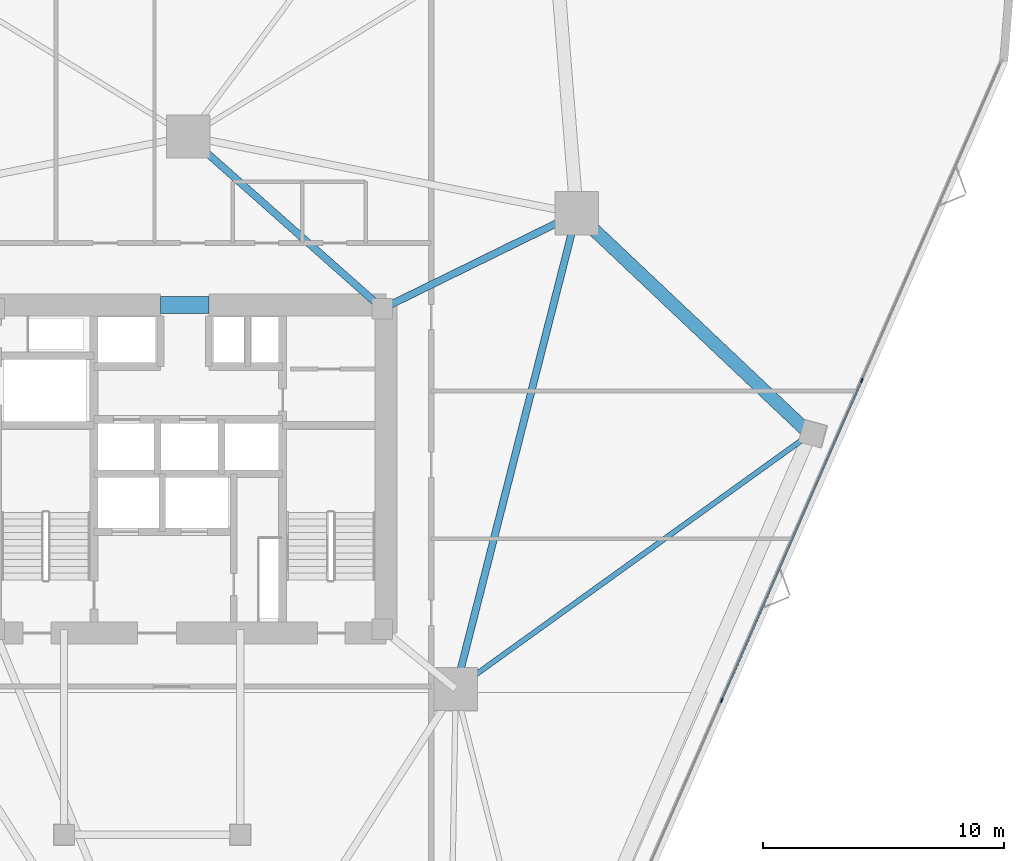
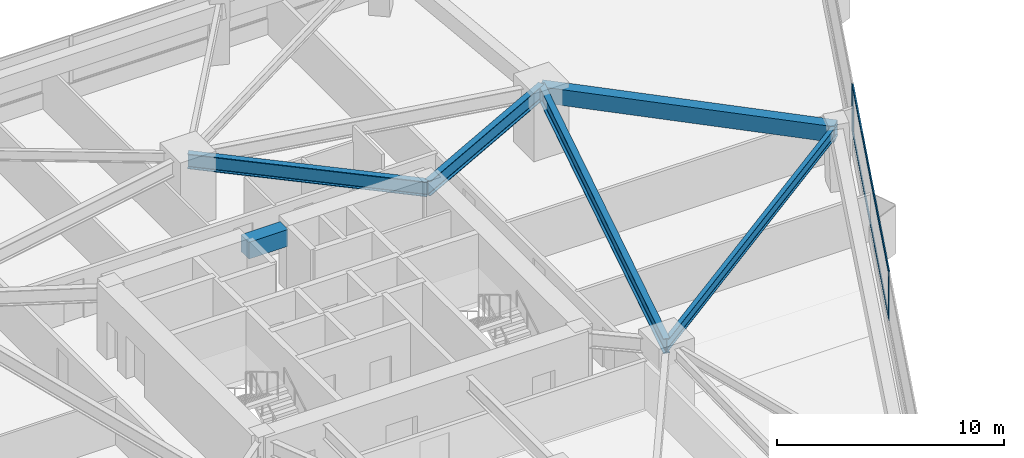
# One storey, part 9 of 21: 6 beams, 4 members, 1 element without a shape of its own.
"""IFC4 building model written with IfcOpenShell, lengths in metres."""

from ifc_helpers import new_model, si_unit, direction, frame, origin, origin_2d, place, context, subcontext, project, spatial, rectangle, i_section, extrude, material, layer, layer_set, material_profile, profile_set, type_object, element, aggregate, save


model = new_model("IFC4")

# Units and contexts
model_context = context("Model", 3, precision=1e-05, world=origin(), true_north=direction((0.0, 1.0)))
body_context = subcontext(model_context, "Body", "Model", "MODEL_VIEW")
ifc_project = project(units=[si_unit("LENGTHUNIT", "METRE"), si_unit("AREAUNIT", "SQUARE_METRE"), si_unit("VOLUMEUNIT", "CUBIC_METRE"), si_unit("PLANEANGLEUNIT", "RADIAN"), si_unit("MASSUNIT", "GRAM", prefix="KILO")], contexts=[model_context])

# Site, building, storey
site_placement = place(None, origin())
site = spatial("IfcSite", under=ifc_project, at=site_placement, CompositionType="ELEMENT")
building_placement = place(site_placement, origin())
building = spatial("IfcBuilding", under=site, at=building_placement, Name="Talyreon Biosciences Tower", CompositionType="ELEMENT")
storey_placement = place(building_placement, frame((0.0, 0.0, 33.75)))
storey = spatial("IfcBuildingStorey", under=building, at=storey_placement, Name="L08", CompositionType="ELEMENT", Elevation=33.75)

# Curtain wall, members
ifc_material_1 = material(Name="Thermally broken aluminium and low-E glazing", Category="aluminium")
ifc_layer = layer(ifc_material_1, 0.195068359375)
ifc_layer_set = layer_set([ifc_layer], Name="Thermally broken aluminium and low-E glazing")
curtain_wall_type = type_object("IfcCurtainWallType", Name="CurtainWall_Zone1WetLab", PredefinedType="NOTDEFINED", material=ifc_layer_set)
curtain_wall_placement = place(storey_placement, origin())
curtain_wall = element("IfcCurtainWall", 1, at=curtain_wall_placement, inside=storey, type_object=curtain_wall_type, Name="L08 Unitised Curtain Wall FCW-L08-08", PredefinedType="NOTDEFINED")
ifc_material_2 = material(Name="Anodised thermally broken aluminium", Category="aluminium")
ifc_material_profile_1 = material_profile(ifc_material_2, rectangle(XDim=0.06494140625, YDim=0.179931640625, at=origin_2d()), Name="ALUM MULLION 65x180")
ifc_profile_set_1 = profile_set([ifc_material_profile_1], Name="Anodised thermally broken aluminium")
member_type_1 = type_object("IfcMemberType", Name="CWMullion_65x180", PredefinedType="MULLION", material=ifc_profile_set_1)
member_1_placement = place(storey_placement, frame((93.9267578125, 71.6708984375, 0.81005859375), z_axis=(0.0, 0.0, 1.0), x_axis=(0.915980408101, -0.401222995321, 0.0)))
member_1 = element("IfcMember", 2, at=member_1_placement, type_object=member_type_1, Name="CW2 mullion 2", PredefinedType="MULLION", context=body_context, shape_type="SweptSolid", body=[
    extrude(rectangle(XDim=0.06494140625, YDim=0.179931640625, at=origin_2d()), origin(), (0.0, 0.0, 1.0), 2.56494140625),
])
member_2_placement = place(storey_placement, frame((88.117431640625, 58.40869140625, 0.81005859375), z_axis=(0.0, 0.0, 1.0), x_axis=(0.915980408101, -0.401222995321, 0.0)))
member_2 = element("IfcMember", 3, at=member_2_placement, type_object=member_type_1, Name="CW2 mullion 3", PredefinedType="MULLION", context=body_context, shape_type="SweptSolid", body=[
    extrude(rectangle(XDim=0.06494140625, YDim=0.179931640625, at=origin_2d()), origin(), (0.0, 0.0, 1.0), 2.56494140625),
])
ifc_material_profile_2 = material_profile(ifc_material_2, rectangle(XDim=0.06494140625, YDim=0.139892578125, at=origin_2d()), Name="ALUM TRANSOM 65x140")
ifc_profile_set_2 = profile_set([ifc_material_profile_2], Name="Anodised thermally broken aluminium")
member_type_2 = type_object("IfcMemberType", Name="CWTransom_65x140", PredefinedType="USERDEFINED", material=ifc_profile_set_2)
member_3_placement = place(storey_placement, frame((93.91357421875, 71.64111328125, 0.842529296875), z_axis=(-0.401215094817, -0.915983868685, 0.0), x_axis=(0.915983868685, -0.401215094817, 0.0)))
member_3 = element("IfcMember", 4, at=member_3_placement, type_object=member_type_2, Name="CW2 transom 2.1", ObjectType="TRANSOM", PredefinedType="USERDEFINED", context=body_context, shape_type="SweptSolid", body=[
    extrude(rectangle(XDim=0.06494140625, YDim=0.139892578125, at=origin_2d()), origin(), (0.0, 0.0, 1.0), 14.41357421875),
])
member_4_placement = place(storey_placement, frame((93.91357421875, 71.64111328125, 3.342529296875), z_axis=(-0.401215094817, -0.915983868685, 0.0), x_axis=(0.915983868685, -0.401215094817, 0.0)))
member_4 = element("IfcMember", 5, at=member_4_placement, type_object=member_type_2, Name="CW2 transom 2.2", ObjectType="TRANSOM", PredefinedType="USERDEFINED", context=body_context, shape_type="SweptSolid", body=[
    extrude(rectangle(XDim=0.06494140625, YDim=0.139892578125, at=origin_2d()), origin(), (0.0, 0.0, 1.0), 14.41357421875),
])
aggregate(curtain_wall, [member_1, member_2, member_3, member_4])

# Beams
ifc_material_3 = material(Name="Concrete C60/75", Category="concrete")
ifc_material_profile_3 = material_profile(ifc_material_3, rectangle(XDim=0.699951171875, YDim=0.89990234375, at=origin_2d()), Name="RCB 700x900")
ifc_profile_set_3 = profile_set([ifc_material_profile_3], Name="Concrete C60/75")
beam_type_1 = type_object("IfcBeamType", Name="CoreCouplingLintel_700x900", PredefinedType="LINTEL", material=ifc_profile_set_3)
beam_1_placement = place(storey_placement, frame((64.85009765625, 74.800048828125, 2.925048828125), z_axis=(1.0, 0.0, 0.0), x_axis=(0.0, 1.0, 0.0)))
element("IfcBeam", 6, at=beam_1_placement, inside=storey, type_object=beam_type_1, Name="L08 Core Coupling Lintel", PredefinedType="LINTEL", context=body_context, shape_type="SweptSolid", body=[
    extrude(rectangle(XDim=0.699951171875, YDim=0.89990234375, at=origin_2d()), origin(), (0.0, 0.0, 1.0), 2.0),
])
ifc_material_4 = material(Name="Precast concrete C45/55", Category="concrete")
ifc_material_profile_4 = material_profile(ifc_material_4, rectangle(XDim=0.550048828125, YDim=0.85009765625, at=origin_2d()), Name="RCB 550x850")
ifc_profile_set_4 = profile_set([ifc_material_profile_4], Name="Precast concrete C45/55")
beam_type_2 = type_object("IfcBeamType", Name="ExpressedSpandrel_550x850", PredefinedType="SPANDREL", material=ifc_profile_set_4)
beam_2_placement = place(storey_placement, frame((91.784912109375, 69.44775390625, 2.949951171875), z_axis=(-0.726781369347, 0.686868867521, 0.0), x_axis=(-0.686868867521, -0.726781369347, 0.0)))
element("IfcBeam", 7, at=beam_2_placement, inside=storey, type_object=beam_type_2, Name="L08 Expressed Horizontal Concrete Spandrel 04", PredefinedType="SPANDREL", context=body_context, shape_type="SweptSolid", body=[
    extrude(rectangle(XDim=0.550048828125, YDim=0.85009765625, at=origin_2d()), origin(), (0.0, 0.0, 1.0), 13.322509765625),
])
ifc_material_5 = material(Name="Steel SM355", Category="steel")
ifc_material_profile_5 = material_profile(ifc_material_5, i_section(OverallWidth=0.300048828125, OverallDepth=0.800048828125, WebThickness=0.017578125, FlangeThickness=0.032958984375, FilletRadius=0.030029296875, at=origin_2d()), Name="HE800B")
ifc_profile_set_5 = profile_set([ifc_material_profile_5], Name="Steel SM355")
beam_type_3 = type_object("IfcBeamType", Name="SteelGirder_HE800B", PredefinedType="BEAM", material=ifc_profile_set_5)
beam_3_placement = place(storey_placement, frame((77.086181640625, 58.88037109375, 2.97509765625), z_axis=(0.246537082299, 0.969133358755, 0.0), x_axis=(-0.969133358755, 0.246537082299, 0.0)))
element("IfcBeam", 8, at=beam_3_placement, inside=storey, type_object=beam_type_3, Name="L08 Mega-Ring Girder 2", PredefinedType="BEAM", context=body_context, shape_type="SweptSolid", body=[
    extrude(i_section(OverallWidth=0.300048828125, OverallDepth=0.800048828125, WebThickness=0.017578125, FlangeThickness=0.032958984375, FilletRadius=0.030029296875, at=origin_2d()), origin(), (0.0, 0.0, 1.0), 20.34619140625),
])
beam_4_placement = place(storey_placement, frame((74.050048828125, 74.64990234375, 2.97509765625), z_axis=(0.897852360314, 0.440296648952, 0.0), x_axis=(-0.440296648952, 0.897852360314, 0.0)))
element("IfcBeam", 9, at=beam_4_placement, inside=storey, type_object=beam_type_3, Name="L08 Radial Primary Girder 3", PredefinedType="BEAM", context=body_context, shape_type="SweptSolid", body=[
    extrude(i_section(OverallWidth=0.300048828125, OverallDepth=0.800048828125, WebThickness=0.017578125, FlangeThickness=0.032958984375, FilletRadius=0.030029296875, at=origin_2d()), origin(), (0.0, 0.0, 1.0), 8.96826171875),
])
beam_5_placement = place(storey_placement, frame((74.050048828125, 74.64990234375, 2.97509765625), z_axis=(-0.748178733955, 0.663497235908, 0.0), x_axis=(-0.663497235908, -0.748178733955, 0.0)))
element("IfcBeam", 10, at=beam_5_placement, inside=storey, type_object=beam_type_3, Name="L08 Radial Primary Girder 4", PredefinedType="BEAM", context=body_context, shape_type="SweptSolid", body=[
    extrude(i_section(OverallWidth=0.300048828125, OverallDepth=0.800048828125, WebThickness=0.017578125, FlangeThickness=0.032958984375, FilletRadius=0.030029296875, at=origin_2d()), origin(), (0.0, 0.0, 1.0), 10.759521484375),
])
ifc_material_profile_6 = material_profile(ifc_material_5, i_section(OverallWidth=0.219970703125, OverallDepth=0.60009765625, WebThickness=0.011962890625, FlangeThickness=0.01904296875, FilletRadius=0.02392578125, at=origin_2d()), Name="IPE600")
ifc_profile_set_6 = profile_set([ifc_material_profile_6], Name="Steel SM355")
beam_type_4 = type_object("IfcBeamType", Name="SteelJoist_IPE600", PredefinedType="JOIST", material=ifc_profile_set_6)
beam_6_placement = place(storey_placement, frame((77.086181640625, 58.88037109375, 3.074951171875), z_axis=(0.811945459992, 0.583733303828, 0.0), x_axis=(-0.583733303828, 0.811945459992, 0.0)))
element("IfcBeam", 11, at=beam_6_placement, inside=storey, type_object=beam_type_4, Name="L08 Radial Composite Floor Joist PC-SE2", PredefinedType="JOIST", context=body_context, shape_type="SweptSolid", body=[
    extrude(i_section(OverallWidth=0.219970703125, OverallDepth=0.60009765625, WebThickness=0.011962890625, FlangeThickness=0.01904296875, FilletRadius=0.02392578125, at=origin_2d()), origin(), (0.0, 0.0, 1.0), 18.10302734375),
])

save(model, "model.ifc")
